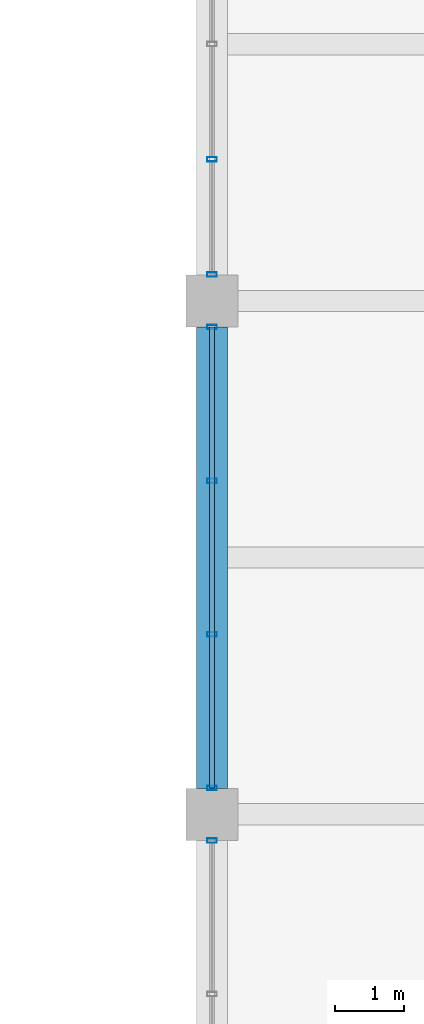
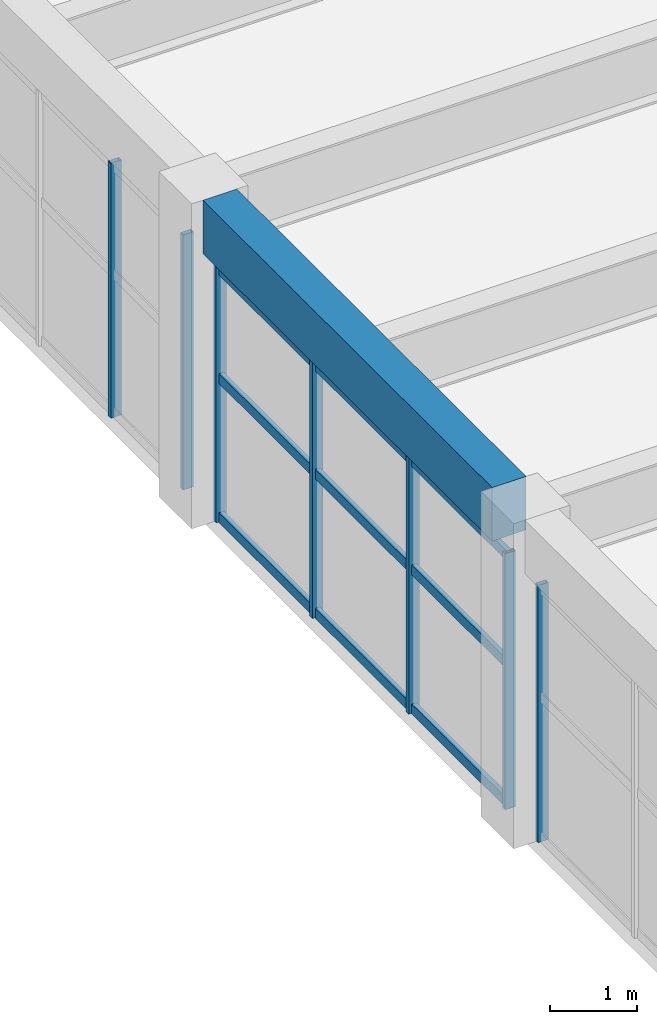
# One storey, part 87 of 161: 10 members, 1 beam, 3 elements without a shape of their own.
"""IFC4 building model written with IfcOpenShell, lengths in metres."""

from ifc_helpers import new_model, si_unit, direction, frame, origin, origin_2d, place, context, subcontext, project, spatial, rectangle, hollow_rectangle, extrude, material, material_profile, profile_set, type_object, element, aggregate, save


model = new_model("IFC4")

# Units and contexts
model_context = context("Model", 3, precision=1e-05, world=origin(), true_north=direction((0.0, 1.0)))
body_context = subcontext(model_context, "Body", "Model", "MODEL_VIEW")
ifc_project = project(units=[si_unit("LENGTHUNIT", "METRE"), si_unit("AREAUNIT", "SQUARE_METRE"), si_unit("VOLUMEUNIT", "CUBIC_METRE"), si_unit("PLANEANGLEUNIT", "RADIAN"), si_unit("MASSUNIT", "GRAM", prefix="KILO")], contexts=[model_context])

# Site, building, storey
site_placement = place(None, origin())
site = spatial("IfcSite", under=ifc_project, at=site_placement, CompositionType="ELEMENT")
building_placement = place(site_placement, origin())
building = spatial("IfcBuilding", under=site, at=building_placement, Name="Cimatlan Art Gallery", CompositionType="ELEMENT")
storey_placement = place(building_placement, frame((0.0, 0.0, 5.39990234375)))
storey = spatial("IfcBuildingStorey", under=building, at=storey_placement, Name="L01", CompositionType="ELEMENT", Elevation=5.39990234375)

# Beam
ifc_material_1 = material(Name="Concrete C40/50", Category="concrete")
ifc_material_profile_1 = material_profile(ifc_material_1, rectangle(XDim=0.449951171875, YDim=0.75, at=origin_2d()), Name="RC450X750")
ifc_profile_set_1 = profile_set([ifc_material_profile_1], Name="Concrete C40/50")
beam_type = type_object("IfcBeamType", Name="BM-RC-450X750", PredefinedType="BEAM", material=ifc_profile_set_1)
beam_placement = place(storey_placement, frame((74.89990234375, 83.47509765625, 4.18505859375), z_axis=(0.0, 1.0, 0.0), x_axis=(-1.0, 0.0, 0.0)))
element("IfcBeam", 1, at=beam_placement, inside=storey, type_object=beam_type, Name="BM-Y-L01-09-11", PredefinedType="BEAM", context=body_context, shape_type="SweptSolid", body=[
    extrude(rectangle(XDim=0.449951171875, YDim=0.75, at=origin_2d()), origin(), (0.0, 0.0, 1.0), 6.64990234375),
])

# Curtain wall, member
ifc_material_2 = material(Name="Anodised bronze unitised curtain wall")
curtain_wall_type_1 = type_object("IfcCurtainWallType", Name="CW-V-06642X03607-B3", PredefinedType="NOTDEFINED", material=ifc_material_2)
curtain_wall_1_placement = place(storey_placement, origin())
curtain_wall_1 = element("IfcCurtainWall", 2, at=curtain_wall_1_placement, inside=storey, type_object=curtain_wall_type_1, Name="CW-L01-09-10-W", PredefinedType="NOTDEFINED")
ifc_material_3 = material(Name="Anodised bronze aluminium 6063-T6", Category="aluminium")
ifc_material_profile_2 = material_profile(ifc_material_3, hollow_rectangle(XDim=0.06494140625, YDim=0.139892578125, WallThickness=0.00390625, at=origin_2d()), Name="ALU65X140X4")
ifc_profile_set_2 = profile_set([ifc_material_profile_2], Name="Anodised bronze aluminium 6063-T6")
member_type_1 = type_object("IfcMemberType", Name="CW-MUL-140", PredefinedType="MULLION", material=ifc_profile_set_2)
member_1_placement = place(storey_placement, frame((74.89990234375, 82.720947265625, 0.0), z_axis=(0.0, 0.0, 1.0), x_axis=(0.0, 1.0, 0.0)))
member_1 = element("IfcMember", 3, at=member_1_placement, type_object=member_type_1, Name="CW-L01-09-10-W-M4", PredefinedType="MULLION", context=body_context, shape_type="SweptSolid", body=[
    extrude(hollow_rectangle(XDim=0.06494140625, YDim=0.139892578125, WallThickness=0.00390625, at=origin_2d()), origin(), (0.0, 0.0, 1.0), 3.607177734375),
])
aggregate(curtain_wall_1, [member_1])

# Curtain wall, members
curtain_wall_type_2 = type_object("IfcCurtainWallType", Name="CW-V-06642X03592-B3", PredefinedType="NOTDEFINED", material=ifc_material_2)
curtain_wall_2_placement = place(storey_placement, origin())
curtain_wall_2 = element("IfcCurtainWall", 4, at=curtain_wall_2_placement, inside=storey, type_object=curtain_wall_type_2, Name="CW-L01-09-11-W", PredefinedType="NOTDEFINED")
member_2_placement = place(storey_placement, frame((74.89990234375, 83.47900390625, 0.0), z_axis=(0.0, 0.0, 1.0), x_axis=(0.0, 1.0, 0.0)))
member_2 = element("IfcMember", 5, at=member_2_placement, type_object=member_type_1, Name="CW-L01-09-11-W-M1", PredefinedType="MULLION", context=body_context, shape_type="SweptSolid", body=[
    extrude(hollow_rectangle(XDim=0.06494140625, YDim=0.139892578125, WallThickness=0.00390625, at=origin_2d()), origin(), (0.0, 0.0, 1.0), 3.592041015625),
])
member_3_placement = place(storey_placement, frame((74.89990234375, 85.693115234375, 0.0), z_axis=(0.0, 0.0, 1.0), x_axis=(0.0, 1.0, 0.0)))
member_3 = element("IfcMember", 6, at=member_3_placement, type_object=member_type_1, Name="CW-L01-09-11-W-M2", PredefinedType="MULLION", context=body_context, shape_type="SweptSolid", body=[
    extrude(hollow_rectangle(XDim=0.06494140625, YDim=0.139892578125, WallThickness=0.00390625, at=origin_2d()), origin(), (0.0, 0.0, 1.0), 3.592041015625),
])
member_4_placement = place(storey_placement, frame((74.89990234375, 87.906982421875, 0.0), z_axis=(0.0, 0.0, 1.0), x_axis=(0.0, 1.0, 0.0)))
member_4 = element("IfcMember", 7, at=member_4_placement, type_object=member_type_1, Name="CW-L01-09-11-W-M3", PredefinedType="MULLION", context=body_context, shape_type="SweptSolid", body=[
    extrude(hollow_rectangle(XDim=0.06494140625, YDim=0.139892578125, WallThickness=0.00390625, at=origin_2d()), origin(), (0.0, 0.0, 1.0), 3.592041015625),
])
member_5_placement = place(storey_placement, frame((74.89990234375, 90.12109375, 0.0), z_axis=(0.0, 0.0, 1.0), x_axis=(0.0, 1.0, 0.0)))
member_5 = element("IfcMember", 8, at=member_5_placement, type_object=member_type_1, Name="CW-L01-09-11-W-M4", PredefinedType="MULLION", context=body_context, shape_type="SweptSolid", body=[
    extrude(hollow_rectangle(XDim=0.06494140625, YDim=0.139892578125, WallThickness=0.00390625, at=origin_2d()), origin(), (0.0, 0.0, 1.0), 3.592041015625),
])

curtain_wall_type_3 = type_object("IfcCurtainWallType", Name="CW-V-06642X03577-B4", PredefinedType="NOTDEFINED", material=ifc_material_2)
curtain_wall_3_placement = place(storey_placement, origin())
curtain_wall_3 = element("IfcCurtainWall", 9, at=curtain_wall_3_placement, inside=storey, type_object=curtain_wall_type_3, Name="CW-L01-09-12-W", PredefinedType="NOTDEFINED")
member_6_placement = place(storey_placement, frame((74.89990234375, 90.87890625, 0.0), z_axis=(0.0, 0.0, 1.0), x_axis=(0.0, 1.0, 0.0)))
member_6 = element("IfcMember", 10, at=member_6_placement, type_object=member_type_1, Name="CW-L01-09-12-W-M1", PredefinedType="MULLION", context=body_context, shape_type="SweptSolid", body=[
    extrude(hollow_rectangle(XDim=0.06494140625, YDim=0.139892578125, WallThickness=0.00390625, at=origin_2d()), origin(), (0.0, 0.0, 1.0), 3.5771484375),
])
member_7_placement = place(storey_placement, frame((74.89990234375, 92.53955078125, 0.0), z_axis=(0.0, 0.0, 1.0), x_axis=(0.0, 1.0, 0.0)))
member_7 = element("IfcMember", 11, at=member_7_placement, type_object=member_type_1, Name="CW-L01-09-12-W-M2", PredefinedType="MULLION", context=body_context, shape_type="SweptSolid", body=[
    extrude(hollow_rectangle(XDim=0.06494140625, YDim=0.139892578125, WallThickness=0.00390625, at=origin_2d()), origin(), (0.0, 0.0, 1.0), 3.5771484375),
])
aggregate(curtain_wall_3, [member_6, member_7])

# Member
ifc_material_profile_3 = material_profile(ifc_material_3, hollow_rectangle(XDim=0.06494140625, YDim=0.139892578125, WallThickness=0.00390625, at=origin_2d()), Name="ALU65X140X4")
ifc_profile_set_3 = profile_set([ifc_material_profile_3], Name="Anodised bronze aluminium 6063-T6")
member_type_2 = type_object("IfcMemberType", Name="CW-TRN-140", PredefinedType="USERDEFINED", material=ifc_profile_set_3)
member_8_placement = place(storey_placement, frame((74.89990234375, 83.47900390625, 0.06005859375), z_axis=(0.0, 1.0, 0.0), x_axis=(-1.0, 0.0, 0.0)))
member_8 = element("IfcMember", 12, at=member_8_placement, type_object=member_type_2, Name="CW-L01-09-11-W-T1", ObjectType="TRANSOM", PredefinedType="USERDEFINED", context=body_context, shape_type="SweptSolid", body=[
    extrude(hollow_rectangle(XDim=0.06494140625, YDim=0.139892578125, WallThickness=0.00390625, at=origin_2d()), origin(), (0.0, 0.0, 1.0), 6.64208984375),
])

member_9_placement = place(storey_placement, frame((74.89990234375, 83.47900390625, 2.01171875), z_axis=(0.0, 1.0, 0.0), x_axis=(-1.0, 0.0, 0.0)))
member_9 = element("IfcMember", 13, at=member_9_placement, type_object=member_type_2, Name="CW-L01-09-11-W-T2", ObjectType="TRANSOM", PredefinedType="USERDEFINED", context=body_context, shape_type="SweptSolid", body=[
    extrude(hollow_rectangle(XDim=0.06494140625, YDim=0.139892578125, WallThickness=0.00390625, at=origin_2d()), origin(), (0.0, 0.0, 1.0), 6.64208984375),
])

member_10_placement = place(storey_placement, frame((74.89990234375, 83.47900390625, 3.531982421875), z_axis=(0.0, 1.0, 0.0), x_axis=(-1.0, 0.0, 0.0)))
member_10 = element("IfcMember", 14, at=member_10_placement, type_object=member_type_2, Name="CW-L01-09-11-W-T3", ObjectType="TRANSOM", PredefinedType="USERDEFINED", context=body_context, shape_type="SweptSolid", body=[
    extrude(hollow_rectangle(XDim=0.06494140625, YDim=0.139892578125, WallThickness=0.00390625, at=origin_2d()), origin(), (0.0, 0.0, 1.0), 6.64208984375),
])

aggregate(curtain_wall_2, [member_2, member_3, member_4, member_5, member_8, member_9, member_10])

save(model, "model.ifc")
